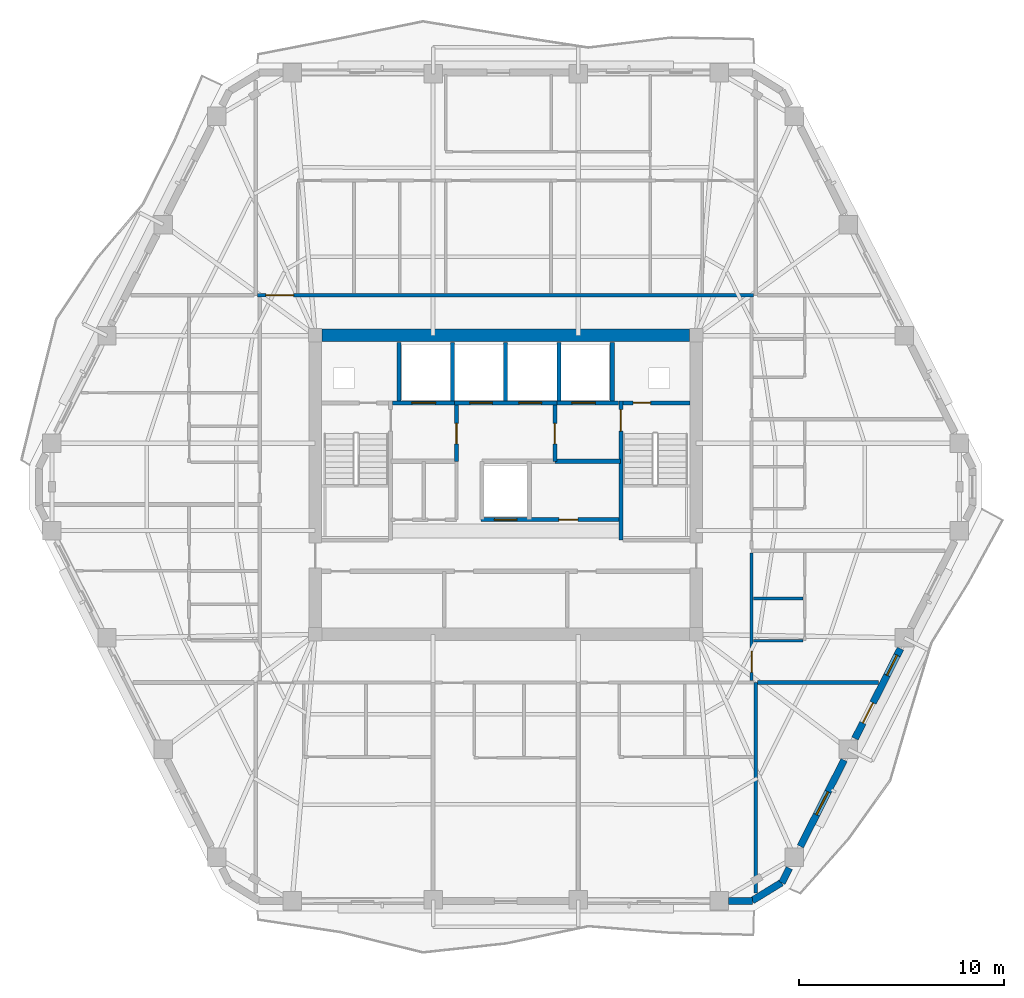
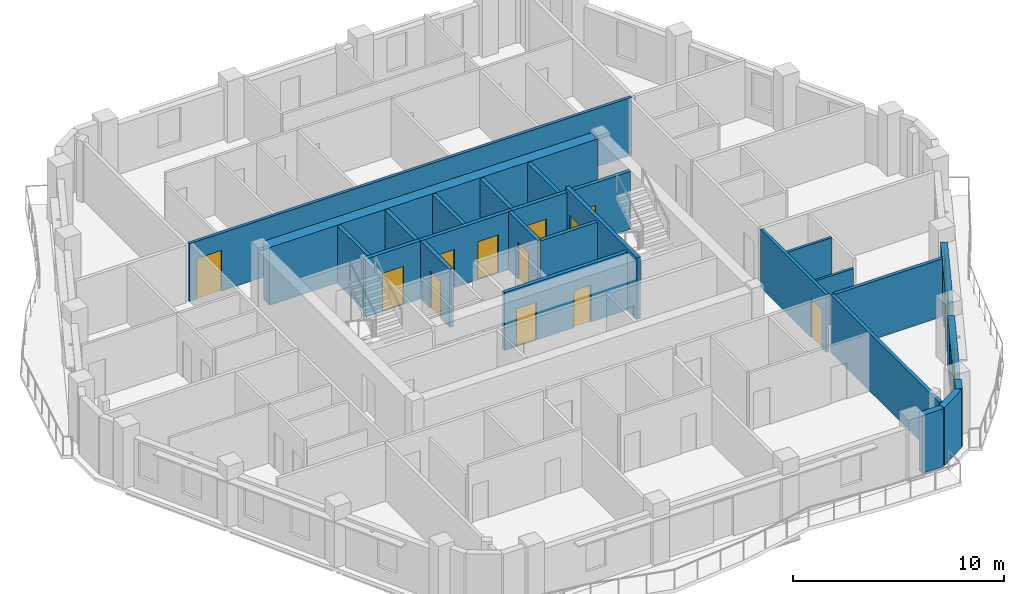
# One storey, part 6 of 12: 26 walls, 13 doors, 2 windows, 15 openings.
"""IFC4 building model written with IfcOpenShell, lengths in metres."""

import ifcopenshell
import ifcopenshell.guid

model = None  # the IFC model being written
_history = None  # IfcOwnerHistory: only IFC2X3 demands one
_inside = {}  # id of a spatial element -> (the spatial element, [elements in it])
_under = {}  # id of a project, library or spatial element -> (it, [spatial elements below it])
_declared = {}  # id of a project -> (the project, [libraries it declares])
_typed = {}  # id of a type object -> (the type object, [elements of that type])
_made_of = {}  # id of a material, layer set ... -> (it, [elements and type objects made of it])


def new_model(schema):
    """Start an empty IFC model of exactly this schema.

    Asked for "IFC4X3", IfcOpenShell would pick the latest addendum, in which some entities
    have other attributes; the version numbers below select the first issue.
    IFC2X3 requires an IfcOwnerHistory on every rooted entity: one is made here for all.
    """
    global model, _history
    if schema == "IFC4X3":
        model = ifcopenshell.file(schema_version=(4, 3, 0, 0))
    else:
        model = ifcopenshell.file(schema=schema)
    _inside.clear()
    _under.clear()
    _declared.clear()
    _typed.clear()
    _made_of.clear()
    _history = None
    if model.schema == "IFC2X3":
        org = make("IfcOrganization", Name="unknown")
        user = make(
            "IfcPersonAndOrganization",
            ThePerson=make("IfcPerson", FamilyName="unknown"),
            TheOrganization=org,
        )
        app = make(
            "IfcApplication",
            ApplicationDeveloper=org,
            Version="unknown",
            ApplicationFullName="unknown",
            ApplicationIdentifier="unknown",
        )
        _history = make(
            "IfcOwnerHistory",
            OwningUser=user,
            OwningApplication=app,
            ChangeAction="ADDED",
            CreationDate=0,
        )
    return model


def make(cls, **values):
    """One entity of the class cls with the attributes given. An attribute that is None is left unset."""
    return model.create_entity(
        cls, **{name: value for name, value in values.items() if value is not None}
    )


def rooted(cls, **values):
    """An entity with a GlobalId (a new one), such as an element, a storey or a relation."""
    return make(cls, GlobalId=ifcopenshell.guid.new(), OwnerHistory=_history, **values)


def si_unit(unit_type, name, prefix=None):
    """IfcSIUnit, for example si_unit("LENGTHUNIT", "METRE", prefix="MILLI")."""
    return make("IfcSIUnit", UnitType=unit_type, Prefix=prefix, Name=name)


def assignment(units):
    """IfcUnitAssignment: the units of a project."""
    return None if units is None else make("IfcUnitAssignment", Units=units)


def point(xyz):
    """IfcCartesianPoint."""
    return None if xyz is None else make("IfcCartesianPoint", Coordinates=xyz)


def direction(xyz):
    """IfcDirection."""
    return None if xyz is None else make("IfcDirection", DirectionRatios=xyz)


def frame(location, z_axis=None, x_axis=None):
    """IfcAxis2Placement3D, a coordinate frame: its origin and axes. An axis left out is left unset."""
    return make(
        "IfcAxis2Placement3D",
        Location=point(location),
        Axis=direction(z_axis),
        RefDirection=direction(x_axis),
    )


def frame_2d(location, x_axis=None):
    """IfcAxis2Placement2D, a coordinate frame in the plane: its origin and x axis."""
    return make(
        "IfcAxis2Placement2D", Location=point(location), RefDirection=direction(x_axis)
    )


def origin():
    """The frame at (0, 0, 0) with its axes left unset."""
    return frame((0.0, 0.0, 0.0))


def place(relative_to, where):
    """IfcLocalPlacement: puts the frame where relative to a parent placement (None: the world)."""
    return make(
        "IfcLocalPlacement", PlacementRelTo=relative_to, RelativePlacement=where
    )


def context(
    kind, dimensions, precision=None, world=None, true_north=None, identifier=None
):
    """IfcGeometricRepresentationContext, for example the 3D "Model" context."""
    return make(
        "IfcGeometricRepresentationContext",
        ContextIdentifier=identifier,
        ContextType=kind,
        CoordinateSpaceDimension=dimensions,
        Precision=precision,
        WorldCoordinateSystem=world,
        TrueNorth=true_north,
    )


def subcontext(parent, identifier, kind, view, scale=None):
    """IfcGeometricRepresentationSubContext, for example "Body" below "Model"."""
    return make(
        "IfcGeometricRepresentationSubContext",
        ContextIdentifier=identifier,
        ContextType=kind,
        ParentContext=parent,
        TargetScale=scale,
        TargetView=view,
    )


def project(units=None, contexts=None):
    """IfcProject with its units and contexts."""
    return rooted(
        "IfcProject",
        Name="project",
        RepresentationContexts=contexts,
        UnitsInContext=assignment(units),
    )


def spatial(cls, under=None, at=None, **own):
    """A site, building, storey or space (cls), placed at a placement, below another one or the project."""
    s = rooted(cls, ObjectPlacement=at, **own)
    if under is not None:
        _under.setdefault(under.id(), (under, []))[1].append(s)
    return s


def profile(cls, at=None, kind="AREA", **sizes):
    """A parametric profile (cls). Its sizes go by their IFC names, for example OverallWidth=200.0."""
    return make(cls, ProfileType=kind, Position=at, **sizes)


def rectangle(**sizes):
    """IfcRectangleProfileDef."""
    return profile("IfcRectangleProfileDef", **sizes)


def extrude(swept, where, along, depth):
    """IfcExtrudedAreaSolid: the profile swept, set in the frame where, extruded along a direction by depth."""
    return make(
        "IfcExtrudedAreaSolid",
        SweptArea=swept,
        Position=where,
        ExtrudedDirection=direction(along),
        Depth=depth,
    )


def shape(context_of_items, identifier, shape_type, items):
    """IfcShapeRepresentation: the items that make up one representation, for example the "Body"."""
    return make(
        "IfcShapeRepresentation",
        ContextOfItems=context_of_items,
        RepresentationIdentifier=identifier,
        RepresentationType=shape_type,
        Items=items,
    )


def material(Name=None, Category=None):
    """IfcMaterial."""
    return make("IfcMaterial", Name=Name, Category=Category)


def layer(
    of_material, thickness, ventilated=None, Name=None, Category=None, Priority=None
):
    """IfcMaterialLayer: one layer of a wall or slab, of a material (None: an air gap)."""
    return make(
        "IfcMaterialLayer",
        Material=of_material,
        LayerThickness=thickness,
        IsVentilated=ventilated,
        Name=Name,
        Category=Category,
        Priority=Priority,
    )


def layer_set(layers, Name=None):
    """IfcMaterialLayerSet."""
    return make("IfcMaterialLayerSet", MaterialLayers=layers, LayerSetName=Name)


def made_of(thing, what):
    """Note that an element or type object is made of a material, layer set ...; save() writes the relation."""
    if what is not None:
        _made_of.setdefault(what.id(), (what, []))[1].append(thing)
    return thing


def type_object(cls, material=None, **own):
    """A type object (cls), such as IfcWallType, which elements share."""
    return made_of(rooted(cls, **own), material)


def element(
    cls,
    number,
    at=None,
    inside=None,
    cuts=None,
    type_object=None,
    material=None,
    context=None,
    identifier="Body",
    shape_type=None,
    held_by="IfcProductDefinitionShape",
    body=None,
    shapes=None,
    **own,
):
    """One element of the class cls, such as IfcWall. Its Tag is "e" and its number.

    at: its placement. inside: the storey or other place that contains it. cuts: it is an
    opening in that element (IfcRelVoidsElement). A single representation is given by context,
    identifier, shape_type and body (its items); several are given by shapes. held_by: the class
    of the entity that holds the representations. save() writes the other relations.
    """
    e = rooted(cls, Tag="e%d" % number, ObjectPlacement=at, **own)
    if body is not None:
        shapes = [shape(context, identifier, shape_type, body)]
    if shapes is not None:
        e.Representation = make(held_by, Representations=shapes)
    if inside is not None:
        _inside.setdefault(inside.id(), (inside, []))[1].append(e)
    if cuts is not None:
        rooted(
            "IfcRelVoidsElement", RelatingBuildingElement=cuts, RelatedOpeningElement=e
        )
    if type_object is not None:
        _typed.setdefault(type_object.id(), (type_object, []))[1].append(e)
    return made_of(e, material)


def fill(opening, filler):
    """IfcRelFillsElement: the door or window that sits in an opening."""
    return rooted(
        "IfcRelFillsElement",
        RelatingOpeningElement=opening,
        RelatedBuildingElement=filler,
    )


def aggregate(whole, parts):
    """IfcRelAggregates: a whole, such as a stair, and the parts it consists of."""
    return rooted("IfcRelAggregates", RelatingObject=whole, RelatedObjects=parts)


def save(model, path):
    """Write the relations noted so far, then the file.

    IfcRelAggregates (storeys below a building ...), IfcRelContainedInSpatialStructure (elements
    in a storey), IfcRelDefinesByType, IfcRelAssociatesMaterial and IfcRelDeclares: one each for
    every whole, place, type object, material and project.
    """
    for whole, parts in _under.values():
        aggregate(whole, parts)
    for where, things in _inside.values():
        rooted(
            "IfcRelContainedInSpatialStructure",
            RelatedElements=things,
            RelatingStructure=where,
        )
    for kind, things in _typed.values():
        rooted("IfcRelDefinesByType", RelatedObjects=things, RelatingType=kind)
    for what, things in _made_of.values():
        rooted("IfcRelAssociatesMaterial", RelatedObjects=things, RelatingMaterial=what)
    for by, libraries in _declared.values():
        rooted("IfcRelDeclares", RelatingContext=by, RelatedDefinitions=libraries)
    model.write(path)


model = new_model("IFC4")

# Units and contexts
model_context = context("Model", 3, precision=1e-05, world=origin(), true_north=direction((0.0, 1.0)))
body_context = subcontext(model_context, "Body", "Model", "MODEL_VIEW")
ifc_project = project(units=[si_unit("LENGTHUNIT", "METRE"), si_unit("AREAUNIT", "SQUARE_METRE"), si_unit("VOLUMEUNIT", "CUBIC_METRE"), si_unit("PLANEANGLEUNIT", "RADIAN"), si_unit("MASSUNIT", "GRAM", prefix="KILO")], contexts=[model_context])

# Site, building, storey
site_placement = place(None, origin())
site = spatial("IfcSite", under=ifc_project, at=site_placement, CompositionType="ELEMENT")
building_placement = place(site_placement, origin())
building = spatial("IfcBuilding", under=site, at=building_placement, Name="Cinnabar Lancet Tower", CompositionType="ELEMENT")
storey_placement = place(building_placement, frame((0.0, 0.0, 186.10009765625)))
storey = spatial("IfcBuildingStorey", under=building, at=storey_placement, Name="L49", CompositionType="ELEMENT", Elevation=186.10009765625)

# Wall, opening, door
ifc_material_1 = material(Name="Acoustic twin-stud gypsum partition", Category="gypsum")
ifc_layer_1 = layer(ifc_material_1, 0.159912109375)
ifc_layer_set_1 = layer_set([ifc_layer_1], Name="Acoustic twin-stud gypsum partition")
wall_type_1 = type_object("IfcWallType", Name="ARC-WL-CORR-160", PredefinedType="PARTITIONING", material=ifc_layer_set_1)
wall_1_placement = place(storey_placement, frame((20.294921875, 35.14990234375, 0.0), z_axis=(0.0, 0.0, 1.0), x_axis=(1.0, 0.0, 0.0)))
wall_1 = element("IfcWall", 1, at=wall_1_placement, inside=storey, type_object=wall_type_1, Name="L49 Unit N01 Corridor Wall", PredefinedType="PARTITIONING", context=body_context, shape_type="SweptSolid", body=[
    extrude(rectangle(XDim=24.2099609375, YDim=0.159912109375, at=frame_2d((12.10498046875, 0.0))), origin(), (0.0, 0.0, 1.0), 3.349853515625),
])
opening_1_placement = place(wall_1_placement, frame((0.405029296875, 0.0, 0.0)))
opening_1 = element("IfcOpeningElement", 2, at=opening_1_placement, cuts=wall_1, Name="Opening UD-02", PredefinedType="OPENING", context=body_context, shape_type="SweptSolid", body=[
    extrude(rectangle(XDim=1.35009765625, YDim=2.35009765625, at=frame_2d((0.675048828125, 1.175048828125))), frame((0.0, 0.08984375, 0.0), z_axis=(0.0, -1.0, 0.0), x_axis=(1.0, 0.0, 0.0)), (0.0, 0.0, 1.0), 0.179931640625),
])
ifc_material_2 = material(Name="Double-leaf solid timber penthouse entrance door", Category="wood")
door_type_1 = type_object("IfcDoorType", Name="ARC-DR-UNIT-PH", OperationType="NOTDEFINED", PredefinedType="DOOR", material=ifc_material_2)
door_1_placement = place(opening_1_placement, origin())
door_1 = element("IfcDoor", 3, at=door_1_placement, inside=storey, type_object=door_type_1, Name="DR-L49-N01-ENT", OperationType="SINGLE_SWING_RIGHT", OverallHeight=2.35009765625, OverallWidth=1.35009765625, PredefinedType="DOOR", context=body_context, shape_type="SweptSolid", body=[
    extrude(rectangle(XDim=1.35009765625, YDim=2.35009765625, at=frame_2d((0.675048828125, 1.175048828125))), frame((0.0, 0.02490234375, 0.0), z_axis=(0.0, -1.0, 0.0), x_axis=(1.0, 0.0, 0.0)), (0.0, 0.0, 1.0), 0.050048828125),
])
fill(opening_1, door_1)

wall_2_placement = place(storey_placement, frame((44.39990234375, 16.344970703125, 0.0), z_axis=(0.0, 0.0, 1.0), x_axis=(0.0, 1.0, 0.0)))
wall_2 = element("IfcWall", 4, at=wall_2_placement, inside=storey, type_object=wall_type_1, Name="UW-L49-E01-COR", PredefinedType="PARTITIONING", context=body_context, shape_type="SweptSolid", body=[
    extrude(rectangle(XDim=6.236083984375, YDim=0.159912109375, at=frame_2d((3.1181640625, 0.0))), origin(), (0.0, 0.0, 1.0), 3.349853515625),
])
opening_2_placement = place(wall_2_placement, frame((0.39990234375, 0.0, 0.0)))
opening_2 = element("IfcOpeningElement", 5, at=opening_2_placement, cuts=wall_2, Name="Opening UD-01", PredefinedType="OPENING", context=body_context, shape_type="SweptSolid", body=[
    extrude(rectangle(XDim=1.02001953125, YDim=2.25, at=frame_2d((0.510009765625, 1.125))), frame((0.0, 0.08984375, 0.0), z_axis=(0.0, -1.0, 0.0), x_axis=(1.0, 0.0, 0.0)), (0.0, 0.0, 1.0), 0.179931640625),
])
ifc_material_3 = material(Name="Solid timber fire-rated apartment entrance door", Category="wood")
door_type_2 = type_object("IfcDoorType", Name="ARC-DR-UNIT", OperationType="NOTDEFINED", PredefinedType="DOOR", material=ifc_material_3)
door_2_placement = place(opening_2_placement, origin())
door_2 = element("IfcDoor", 6, at=door_2_placement, inside=storey, type_object=door_type_2, Name="DR-L49-E01-ENT", OperationType="SINGLE_SWING_RIGHT", OverallHeight=2.25, OverallWidth=1.02001953125, PredefinedType="DOOR", context=body_context, shape_type="SweptSolid", body=[
    extrude(rectangle(XDim=1.02001953125, YDim=2.25, at=frame_2d((0.510009765625, 1.125))), frame((0.0, 0.02490234375, 0.0), z_axis=(0.0, -1.0, 0.0), x_axis=(1.0, 0.0, 0.0)), (0.0, 0.0, 1.0), 0.050048828125),
])
fill(opening_2, door_2)

# Walls
ifc_material_4 = material(Name="Fire-rated twin-frame acoustic drywall", Category="gypsum")
ifc_layer_2 = layer(ifc_material_4, 0.179931640625)
ifc_layer_set_2 = layer_set([ifc_layer_2], Name="Fire-rated twin-frame acoustic drywall")
wall_type_2 = type_object("IfcWallType", Name="ARC-WL-PARTY-180", PredefinedType="PARTITIONING", material=ifc_layer_set_2)
wall_3_placement = place(storey_placement, frame((44.60009765625, 5.968017578125, 0.0), z_axis=(0.0, 0.0, 1.0), x_axis=(0.0, 1.0, 0.0)))
element("IfcWall", 7, at=wall_3_placement, inside=storey, type_object=wall_type_2, Name="PW-L49-SPTY-446", PredefinedType="PARTITIONING", context=body_context, shape_type="SweptSolid", body=[
    extrude(rectangle(XDim=10.281982421875, YDim=0.179931640625, at=frame_2d((5.14111328125, 0.0))), origin(), (0.0, 0.0, 1.0), 3.349853515625),
])
wall_4_placement = place(storey_placement, frame((44.695068359375, 16.25, 0.0), z_axis=(0.0, 0.0, 1.0), x_axis=(1.0, 0.0, 0.0)))
element("IfcWall", 8, at=wall_4_placement, inside=storey, type_object=wall_type_2, Name="PW-L49-ESB", PredefinedType="PARTITIONING", context=body_context, shape_type="SweptSolid", body=[
    extrude(rectangle(XDim=5.89404296875, YDim=0.179931640625, at=frame_2d((2.947021484375, 0.0))), origin(), (0.0, 0.0, 1.0), 3.349853515625),
])

# Wall, opening, door
ifc_material_5 = material(Name="Autoclaved aerated concrete blockwork", Category="masonry")
ifc_layer_3 = layer(ifc_material_5, 0.199951171875)
ifc_layer_set_3 = layer_set([ifc_layer_3], Name="Autoclaved aerated concrete blockwork")
wall_type_3 = type_object("IfcWallType", Name="ARC-WL-SHAFT-200", PredefinedType="PLUMBINGWALL", material=ifc_layer_set_3)
wall_5_placement = place(storey_placement, frame((26.885009765625, 29.89990234375, 0.0), z_axis=(0.0, 0.0, 1.0), x_axis=(1.0, 0.0, 0.0)))
wall_5 = element("IfcWall", 9, at=wall_5_placement, inside=storey, type_object=wall_type_3, Name="CW-FL1-L49", PredefinedType="PLUMBINGWALL", context=body_context, shape_type="SweptSolid", body=[
    extrude(rectangle(XDim=3.014892578125, YDim=0.199951171875, at=frame_2d((1.50732421875, 0.0))), origin(), (0.0, 0.0, 1.0), 3.349853515625),
])
opening_3_placement = place(wall_5_placement, frame((0.93994140625, 0.0, 0.0)))
opening_3 = element("IfcOpeningElement", 10, at=opening_3_placement, cuts=wall_5, Name="Opening LD-02", PredefinedType="OPENING", context=body_context, shape_type="SweptSolid", body=[
    extrude(rectangle(XDim=1.14990234375, YDim=2.199951171875, at=frame_2d((0.574951171875, 1.10009765625))), frame((0.0, 0.10986328125, 0.0), z_axis=(0.0, -1.0, 0.0), x_axis=(1.0, 0.0, 0.0)), (0.0, 0.0, 1.0), 0.219970703125),
])
ifc_material_6 = material(Name="Fire-rated stainless steel firefighting lift landing door", Category="steel")
door_type_3 = type_object("IfcDoorType", Name="ARC-DR-LD-FIRE", OperationType="NOTDEFINED", PredefinedType="DOOR", material=ifc_material_6)
door_3_placement = place(opening_3_placement, origin())
door_3 = element("IfcDoor", 11, at=door_3_placement, inside=storey, type_object=door_type_3, Name="L49 Firefighting Lift FL-1 Landing Door", OperationType="DOUBLE_DOOR_SLIDING", OverallHeight=2.199951171875, OverallWidth=1.14990234375, PredefinedType="DOOR", context=body_context, shape_type="SweptSolid", body=[
    extrude(rectangle(XDim=1.14990234375, YDim=2.199951171875, at=frame_2d((0.574951171875, 1.10009765625))), frame((0.0, 0.02490234375, 0.0), z_axis=(0.0, -1.0, 0.0), x_axis=(1.0, 0.0, 0.0)), (0.0, 0.0, 1.0), 0.050048828125),
])
fill(opening_3, door_3)

# Wall, openings, doors
wall_6_placement = place(storey_placement, frame((29.89990234375, 29.89990234375, 0.0), z_axis=(0.0, 0.0, 1.0), x_axis=(1.0, 0.0, 0.0)))
wall_6 = element("IfcWall", 12, at=wall_6_placement, inside=storey, type_object=wall_type_3, Name="CW-PL78-L49", PredefinedType="PLUMBINGWALL", context=body_context, shape_type="SweptSolid", body=[
    extrude(rectangle(XDim=5.0, YDim=0.199951171875, at=frame_2d((2.5, 0.0))), origin(), (0.0, 0.0, 1.0), 3.349853515625),
])
opening_4_placement = place(wall_6_placement, frame((0.75, 0.0, 0.0)))
opening_4 = element("IfcOpeningElement", 13, at=opening_4_placement, cuts=wall_6, Name="Opening LD-01", PredefinedType="OPENING", context=body_context, shape_type="SweptSolid", body=[
    extrude(rectangle(XDim=1.10009765625, YDim=2.199951171875, at=frame_2d((0.550048828125, 1.10009765625))), frame((0.0, 0.10986328125, 0.0), z_axis=(0.0, -1.0, 0.0), x_axis=(1.0, 0.0, 0.0)), (0.0, 0.0, 1.0), 0.219970703125),
])
opening_5_placement = place(wall_6_placement, frame((3.14990234375, 0.0, 0.0)))
opening_5 = element("IfcOpeningElement", 14, at=opening_5_placement, cuts=wall_6, Name="Opening LD-01", PredefinedType="OPENING", context=body_context, shape_type="SweptSolid", body=[
    extrude(rectangle(XDim=1.10009765625, YDim=2.199951171875, at=frame_2d((0.550048828125, 1.10009765625))), frame((0.0, 0.10986328125, 0.0), z_axis=(0.0, -1.0, 0.0), x_axis=(1.0, 0.0, 0.0)), (0.0, 0.0, 1.0), 0.219970703125),
])
ifc_material_7 = material(Name="Brushed stainless steel sliding lift door", Category="steel")
door_type_4 = type_object("IfcDoorType", Name="ARC-DR-LD-PASS", OperationType="NOTDEFINED", PredefinedType="DOOR", material=ifc_material_7)
door_4_placement = place(opening_4_placement, origin())
door_4 = element("IfcDoor", 15, at=door_4_placement, inside=storey, type_object=door_type_4, Name="L49 Lift PL-7 Landing Door", OperationType="DOUBLE_DOOR_SLIDING", OverallHeight=2.199951171875, OverallWidth=1.10009765625, PredefinedType="DOOR", context=body_context, shape_type="SweptSolid", body=[
    extrude(rectangle(XDim=1.10009765625, YDim=2.199951171875, at=frame_2d((0.550048828125, 1.10009765625))), frame((0.0, 0.02490234375, 0.0), z_axis=(0.0, -1.0, 0.0), x_axis=(1.0, 0.0, 0.0)), (0.0, 0.0, 1.0), 0.050048828125),
])
fill(opening_4, door_4)
door_5_placement = place(opening_5_placement, origin())
door_5 = element("IfcDoor", 16, at=door_5_placement, inside=storey, type_object=door_type_4, Name="L49 Lift PL-8 Landing Door", OperationType="DOUBLE_DOOR_SLIDING", OverallHeight=2.199951171875, OverallWidth=1.10009765625, PredefinedType="DOOR", context=body_context, shape_type="SweptSolid", body=[
    extrude(rectangle(XDim=1.10009765625, YDim=2.199951171875, at=frame_2d((0.550048828125, 1.10009765625))), frame((0.0, 0.02490234375, 0.0), z_axis=(0.0, -1.0, 0.0), x_axis=(1.0, 0.0, 0.0)), (0.0, 0.0, 1.0), 0.050048828125),
])
fill(opening_5, door_5)

# Wall, opening, door
wall_7_placement = place(storey_placement, frame((34.89990234375, 29.89990234375, 0.0), z_axis=(0.0, 0.0, 1.0), x_axis=(1.0, 0.0, 0.0)))
wall_7 = element("IfcWall", 17, at=wall_7_placement, inside=storey, type_object=wall_type_3, Name="CW-FL2-L49", PredefinedType="PLUMBINGWALL", context=body_context, shape_type="SweptSolid", body=[
    extrude(rectangle(XDim=3.01513671875, YDim=0.199951171875, at=frame_2d((1.507568359375, 0.0))), origin(), (0.0, 0.0, 1.0), 3.349853515625),
])
opening_6_placement = place(wall_7_placement, frame((0.72509765625, 0.0, 0.0)))
opening_6 = element("IfcOpeningElement", 18, at=opening_6_placement, cuts=wall_7, Name="Opening LD-02", PredefinedType="OPENING", context=body_context, shape_type="SweptSolid", body=[
    extrude(rectangle(XDim=1.14990234375, YDim=2.199951171875, at=frame_2d((0.574951171875, 1.10009765625))), frame((0.0, 0.10986328125, 0.0), z_axis=(0.0, -1.0, 0.0), x_axis=(1.0, 0.0, 0.0)), (0.0, 0.0, 1.0), 0.219970703125),
])
door_6_placement = place(opening_6_placement, origin())
door_6 = element("IfcDoor", 19, at=door_6_placement, inside=storey, type_object=door_type_3, Name="L49 Firefighting Lift FL-2 Landing Door", OperationType="DOUBLE_DOOR_SLIDING", OverallHeight=2.199951171875, OverallWidth=1.14990234375, PredefinedType="DOOR", context=body_context, shape_type="SweptSolid", body=[
    extrude(rectangle(XDim=1.14990234375, YDim=2.199951171875, at=frame_2d((0.574951171875, 1.10009765625))), frame((0.0, 0.02490234375, 0.0), z_axis=(0.0, -1.0, 0.0), x_axis=(1.0, 0.0, 0.0)), (0.0, 0.0, 1.0), 0.050048828125),
])
fill(opening_6, door_6)

wall_8_placement = place(storey_placement, frame((38.125, 29.89990234375, 0.0), z_axis=(0.0, 0.0, 1.0), x_axis=(1.0, 0.0, 0.0)))
wall_8 = element("IfcWall", 20, at=wall_8_placement, inside=storey, type_object=wall_type_3, Name="CW-NSH-E-L49", PredefinedType="PLUMBINGWALL", context=body_context, shape_type="SweptSolid", body=[
    extrude(rectangle(XDim=3.27001953125, YDim=0.199951171875, at=frame_2d((1.635009765625, 0.0))), origin(), (0.0, 0.0, 1.0), 3.349853515625),
])
opening_7_placement = place(wall_8_placement, frame((0.5, 0.0, 0.0)))
opening_7 = element("IfcOpeningElement", 21, at=opening_7_placement, cuts=wall_8, Name="Opening PD-02", PredefinedType="OPENING", context=body_context, shape_type="SweptSolid", body=[
    extrude(rectangle(XDim=0.85009765625, YDim=2.050048828125, at=frame_2d((0.425048828125, 1.02490234375))), frame((0.0, 0.10986328125, 0.0), z_axis=(0.0, -1.0, 0.0), x_axis=(1.0, 0.0, 0.0)), (0.0, 0.0, 1.0), 0.219970703125),
])
ifc_material_8 = material(Name="Fire-rated steel riser access door", Category="steel")
door_type_5 = type_object("IfcDoorType", Name="ARC-DR-RISER", OperationType="NOTDEFINED", PredefinedType="DOOR", material=ifc_material_8)
door_7_placement = place(opening_7_placement, origin())
door_7 = element("IfcDoor", 22, at=door_7_placement, inside=storey, type_object=door_type_5, Name="L49 East Riser Access Door", OperationType="SINGLE_SWING_RIGHT", OverallHeight=2.050048828125, OverallWidth=0.85009765625, PredefinedType="DOOR", context=body_context, shape_type="SweptSolid", body=[
    extrude(rectangle(XDim=0.85009765625, YDim=2.050048828125, at=frame_2d((0.425048828125, 1.02490234375))), frame((0.0, 0.02490234375, 0.0), z_axis=(0.0, -1.0, 0.0), x_axis=(1.0, 0.0, 0.0)), (0.0, 0.0, 1.0), 0.050048828125),
])
fill(opening_7, door_7)

# Walls
for number, where, z_axis, x_axis, name in (
    (23, (27.199951171875, 30.0, 0.0), (0.0, 0.0, 1.0), (0.0, 1.0, 0.0), "CW-NSH-D1-L49"),
    (24, (29.800048828125, 30.0, 0.0), (0.0, 0.0, 1.0), (0.0, 1.0, 0.0), "CW-NSH-D2-L49"),
    (25, (32.39990234375, 30.0, 0.0), (0.0, 0.0, 1.0), (0.0, 1.0, 0.0), "CW-NSH-D3-L49"),
    (26, (35.0, 30.0, 0.0), (0.0, 0.0, 1.0), (0.0, 1.0, 0.0), "CW-NSH-D4-L49"),
    (27, (37.60009765625, 30.0, 0.0), (0.0, 0.0, 1.0), (0.0, 1.0, 0.0), "CW-NSH-D5-L49"),
):
    element("IfcWall", number, at=place(storey_placement, frame(where, z_axis=z_axis, x_axis=x_axis)), inside=storey, type_object=wall_type_3, Name=name, PredefinedType="PLUMBINGWALL", context=body_context, shape_type="SweptSolid", body=[
        extrude(rectangle(XDim=2.85009765625, YDim=0.199951171875, at=frame_2d((1.425048828125, 0.0))), origin(), (0.0, 0.0, 1.0), 3.349853515625),
    ])

# Wall, opening, door
wall_9_placement = place(storey_placement, frame((30.0, 27.050048828125, 0.0), z_axis=(0.0, 0.0, 1.0), x_axis=(0.0, 1.0, 0.0)))
wall_9 = element("IfcWall", 28, at=wall_9_placement, inside=storey, type_object=wall_type_3, Name="CW-FF1E-L49", PredefinedType="PLUMBINGWALL", context=body_context, shape_type="SweptSolid", body=[
    extrude(rectangle(XDim=2.75, YDim=0.199951171875, at=frame_2d((1.375, 0.0))), origin(), (0.0, 0.0, 1.0), 3.349853515625),
])
opening_8_placement = place(wall_9_placement, frame((0.85009765625, 0.0, 0.0)))
opening_8 = element("IfcOpeningElement", 29, at=opening_8_placement, cuts=wall_9, Name="Opening FD-01", PredefinedType="OPENING", context=body_context, shape_type="SweptSolid", body=[
    extrude(rectangle(XDim=1.0, YDim=2.14990234375, at=frame_2d((0.5, 1.074951171875))), frame((0.0, 0.10986328125, 0.0), z_axis=(0.0, -1.0, 0.0), x_axis=(1.0, 0.0, 0.0)), (0.0, 0.0, 1.0), 0.219970703125),
])
ifc_material_9 = material(Name="Fire-rated timber-core lobby door", Category="wood")
door_type_6 = type_object("IfcDoorType", Name="ARC-DR-FFAL", OperationType="NOTDEFINED", PredefinedType="DOOR", material=ifc_material_9)
door_8_placement = place(opening_8_placement, origin())
door_8 = element("IfcDoor", 30, at=door_8_placement, inside=storey, type_object=door_type_6, Name="L49 FFAL-1 Lobby Fire Door", OperationType="SINGLE_SWING_RIGHT", OverallHeight=2.14990234375, OverallWidth=1.0, PredefinedType="DOOR", context=body_context, shape_type="SweptSolid", body=[
    extrude(rectangle(XDim=1.0, YDim=2.14990234375, at=frame_2d((0.5, 1.074951171875))), frame((0.0, 0.02490234375, 0.0), z_axis=(0.0, -1.0, 0.0), x_axis=(1.0, 0.0, 0.0)), (0.0, 0.0, 1.0), 0.050048828125),
])
fill(opening_8, door_8)

wall_10_placement = place(storey_placement, frame((34.800048828125, 27.050048828125, 0.0), z_axis=(0.0, 0.0, 1.0), x_axis=(0.0, 1.0, 0.0)))
wall_10 = element("IfcWall", 31, at=wall_10_placement, inside=storey, type_object=wall_type_3, Name="CW-FF2W-L49", PredefinedType="PLUMBINGWALL", context=body_context, shape_type="SweptSolid", body=[
    extrude(rectangle(XDim=2.75, YDim=0.199951171875, at=frame_2d((1.375, 0.0))), origin(), (0.0, 0.0, 1.0), 3.349853515625),
])
opening_9_placement = place(wall_10_placement, frame((0.85009765625, 0.0, 0.0)))
opening_9 = element("IfcOpeningElement", 32, at=opening_9_placement, cuts=wall_10, Name="Opening FD-01", PredefinedType="OPENING", context=body_context, shape_type="SweptSolid", body=[
    extrude(rectangle(XDim=1.0, YDim=2.14990234375, at=frame_2d((0.5, 1.074951171875))), frame((0.0, 0.10986328125, 0.0), z_axis=(0.0, -1.0, 0.0), x_axis=(1.0, 0.0, 0.0)), (0.0, 0.0, 1.0), 0.219970703125),
])
door_9_placement = place(opening_9_placement, origin())
door_9 = element("IfcDoor", 33, at=door_9_placement, inside=storey, type_object=door_type_6, Name="L49 FFAL-2 Lobby Fire Door", OperationType="SINGLE_SWING_LEFT", OverallHeight=2.14990234375, OverallWidth=1.0, PredefinedType="DOOR", context=body_context, shape_type="SweptSolid", body=[
    extrude(rectangle(XDim=1.0, YDim=2.14990234375, at=frame_2d((0.5, 1.074951171875))), frame((0.0, 0.02490234375, 0.0), z_axis=(0.0, -1.0, 0.0), x_axis=(1.0, 0.0, 0.0)), (0.0, 0.0, 1.0), 0.050048828125),
])
fill(opening_9, door_9)

# Wall
wall_11_placement = place(storey_placement, frame((34.800048828125, 27.050048828125, 0.0), z_axis=(0.0, 0.0, 1.0), x_axis=(1.0, 0.0, 0.0)))
element("IfcWall", 34, at=wall_11_placement, inside=storey, type_object=wall_type_3, Name="CW-FF2S-L49", PredefinedType="PLUMBINGWALL", context=body_context, shape_type="SweptSolid", body=[
    extrude(rectangle(XDim=3.199951171875, YDim=0.199951171875, at=frame_2d((1.60009765625, 0.0))), origin(), (0.0, 0.0, 1.0), 3.349853515625),
])

# Wall, openings, doors
wall_12_placement = place(storey_placement, frame((31.199951171875, 24.199951171875, 0.0), z_axis=(0.0, 0.0, 1.0), x_axis=(1.0, 0.0, 0.0)))
wall_12 = element("IfcWall", 35, at=wall_12_placement, inside=storey, type_object=wall_type_3, Name="CW-PL96S-L49", PredefinedType="PLUMBINGWALL", context=body_context, shape_type="SweptSolid", body=[
    extrude(rectangle(XDim=6.800048828125, YDim=0.199951171875, at=frame_2d((3.39990234375, 0.0))), origin(), (0.0, 0.0, 1.0), 3.349853515625),
])
opening_10_placement = place(wall_12_placement, frame((0.64990234375, 0.0, 0.0)))
opening_10 = element("IfcOpeningElement", 36, at=opening_10_placement, cuts=wall_12, Name="Opening LD-01", PredefinedType="OPENING", context=body_context, shape_type="SweptSolid", body=[
    extrude(rectangle(XDim=1.10009765625, YDim=2.199951171875, at=frame_2d((0.550048828125, 1.10009765625))), frame((0.0, 0.10986328125, 0.0), z_axis=(0.0, -1.0, 0.0), x_axis=(1.0, 0.0, 0.0)), (0.0, 0.0, 1.0), 0.219970703125),
])
opening_11_placement = place(wall_12_placement, frame((3.800048828125, 0.0, 0.0)))
opening_11 = element("IfcOpeningElement", 37, at=opening_11_placement, cuts=wall_12, Name="Opening RD-01", PredefinedType="OPENING", context=body_context, shape_type="SweptSolid", body=[
    extrude(rectangle(XDim=0.919921875, YDim=2.14990234375, at=frame_2d((0.4599609375, 1.074951171875))), frame((0.0, 0.10986328125, 0.0), z_axis=(0.0, -1.0, 0.0), x_axis=(1.0, 0.0, 0.0)), (0.0, 0.0, 1.0), 0.219970703125),
])
door_10_placement = place(opening_10_placement, origin())
door_10 = element("IfcDoor", 38, at=door_10_placement, inside=storey, type_object=door_type_4, Name="L49 Lift PL-9 Landing Door", OperationType="DOUBLE_DOOR_SLIDING", OverallHeight=2.199951171875, OverallWidth=1.10009765625, PredefinedType="DOOR", context=body_context, shape_type="SweptSolid", body=[
    extrude(rectangle(XDim=1.10009765625, YDim=2.199951171875, at=frame_2d((0.550048828125, 1.10009765625))), frame((0.0, 0.02490234375, 0.0), z_axis=(0.0, -1.0, 0.0), x_axis=(1.0, 0.0, 0.0)), (0.0, 0.0, 1.0), 0.050048828125),
])
fill(opening_10, door_10)
ifc_material_10 = material(Name="Engineered timber bedroom door", Category="wood")
door_type_7 = type_object("IfcDoorType", Name="ARC-DR-ROOM", OperationType="NOTDEFINED", PredefinedType="DOOR", material=ifc_material_10)
door_11_placement = place(opening_11_placement, origin())
door_11 = element("IfcDoor", 39, at=door_11_placement, inside=storey, type_object=door_type_7, Name="DR-L49-REC6", OperationType="SINGLE_SWING_RIGHT", OverallHeight=2.14990234375, OverallWidth=0.919921875, PredefinedType="DOOR", context=body_context, shape_type="SweptSolid", body=[
    extrude(rectangle(XDim=0.919921875, YDim=2.14990234375, at=frame_2d((0.4599609375, 1.074951171875))), frame((0.0, 0.02490234375, 0.0), z_axis=(0.0, -1.0, 0.0), x_axis=(1.0, 0.0, 0.0)), (0.0, 0.0, 1.0), 0.050048828125),
])
fill(opening_11, door_11)

# Walls
ifc_material_11 = material(Name="Gypsum plasterboard stud partition", Category="gypsum")
ifc_layer_4 = layer(ifc_material_11, 0.125)
ifc_layer_set_4 = layer_set([ifc_layer_4], Name="Gypsum plasterboard stud partition")
wall_type_4 = type_object("IfcWallType", Name="ARC-WL-UNIT-125", PredefinedType="PARTITIONING", material=ifc_layer_set_4)
wall_13_placement = place(storey_placement, frame((44.485107421875, 18.300048828125, 0.0), z_axis=(0.0, 0.0, 1.0), x_axis=(1.0, 0.0, 0.0)))
element("IfcWall", 40, at=wall_13_placement, inside=storey, type_object=wall_type_4, Name="UW-L49-E01-FOYN", PredefinedType="PARTITIONING", context=body_context, shape_type="SweptSolid", body=[
    extrude(rectangle(XDim=2.429931640625, YDim=0.125, at=frame_2d((1.21484375, 0.0))), origin(), (0.0, 0.0, 1.0), 2.806884765625),
])
ifc_material_12 = material(Name="Moisture-resistant cement-board plumbing wall", Category="masonry")
ifc_layer_5 = layer(ifc_material_12, 0.139892578125)
ifc_layer_set_5 = layer_set([ifc_layer_5], Name="Moisture-resistant cement-board plumbing wall")
wall_type_5 = type_object("IfcWallType", Name="ARC-WL-WET-140", PredefinedType="PLUMBINGWALL", material=ifc_layer_set_5)
wall_14_placement = place(storey_placement, frame((44.485107421875, 20.35498046875, 0.0), z_axis=(0.0, 0.0, 1.0), x_axis=(1.0, 0.0, 0.0)))
element("IfcWall", 41, at=wall_14_placement, inside=storey, type_object=wall_type_5, Name="UW-L49-E01-KDV", PredefinedType="PLUMBINGWALL", context=body_context, shape_type="SweptSolid", body=[
    extrude(rectangle(XDim=2.429931640625, YDim=0.139892578125, at=frame_2d((1.21484375, 0.0))), origin(), (0.0, 0.0, 1.0), 3.349853515625),
])
ifc_material_13 = material(Name="Cinnabar red clay brick", Category="masonry")
ifc_layer_6 = layer(ifc_material_13, 0.340087890625)
ifc_layer_set_6 = layer_set([ifc_layer_6], Name="Cinnabar red clay brick")
wall_type_6 = type_object("IfcWallType", Name="ENV-WL-BRK-RED-340", PredefinedType="STANDARD", material=ifc_layer_set_6)
wall_15_placement = place(storey_placement, frame((44.43310546875, 5.60498046875, 0.0), z_axis=(0.0, 0.0, 1.0), x_axis=(0.851778214877, 0.523902541185, 0.0)))
element("IfcWall", 42, at=wall_15_placement, inside=storey, type_object=wall_type_6, Name="L49 Chamfered Corner Brick Pier 2.1", PredefinedType="STANDARD", context=body_context, shape_type="SweptSolid", body=[
    extrude(rectangle(XDim=1.677734375, YDim=0.340087890625, at=frame_2d((0.8388671875, 0.0))), origin(), (0.0, 0.0, 1.0), 3.349853515625),
])
wall_16_placement = place(storey_placement, frame((43.27490234375, 5.580078125, 0.0), z_axis=(0.0, 0.0, 1.0), x_axis=(1.0, 0.0, 0.0)))
element("IfcWall", 43, at=wall_16_placement, inside=storey, type_object=wall_type_6, Name="L49 Face 1 Masonry Bay Wall 5", PredefinedType="STANDARD", context=body_context, shape_type="SweptSolid", body=[
    extrude(rectangle(XDim=1.1630859375, YDim=0.340087890625, at=frame_2d((0.58154296875, 0.0))), origin(), (0.0, 0.0, 1.0), 3.349853515625),
])
wall_17_placement = place(storey_placement, frame((45.882080078125, 6.468017578125, 0.0), z_axis=(0.0, 0.0, 1.0), x_axis=(0.451691568309, 0.892174157392, 0.0)))
element("IfcWall", 44, at=wall_17_placement, inside=storey, type_object=wall_type_6, Name="L49 Face 2 Masonry Bay Wall 1", PredefinedType="STANDARD", context=body_context, shape_type="SweptSolid", body=[
    extrude(rectangle(XDim=0.805908203125, YDim=0.340087890625, at=frame_2d((0.40283203125, 0.0))), origin(), (0.0, 0.0, 1.0), 3.349853515625),
])

# Wall, opening, window
wall_18_placement = place(storey_placement, frame((46.782958984375, 8.2490234375, 0.0), z_axis=(0.0, 0.0, 1.0), x_axis=(0.451522864045, 0.892259549259, 0.0)))
wall_18 = element("IfcWall", 45, at=wall_18_placement, inside=storey, type_object=wall_type_6, Name="L49 Face 2 Masonry Bay Wall 2", PredefinedType="STANDARD", context=body_context, shape_type="SweptSolid", body=[
    extrude(rectangle(XDim=4.730712890625, YDim=0.340087890625, at=frame_2d((2.365234375, 0.0))), origin(), (0.0, 0.0, 1.0), 2.8828125),
])
opening_12_placement = place(wall_18_placement, frame((1.739990234375, 0.0, 0.75)))
opening_12 = element("IfcOpeningElement", 46, at=opening_12_placement, cuts=wall_18, Name="Opening WN-03", PredefinedType="OPENING", context=body_context, shape_type="SweptSolid", body=[
    extrude(rectangle(XDim=1.25, YDim=1.949951171875, at=frame_2d((0.625, 0.97509765625))), frame((0.0, 0.179931640625, 0.0), z_axis=(0.0, -1.0, 0.0), x_axis=(1.0, 0.0, 0.0)), (0.0, 0.0, 1.0), 0.360107421875),
])
ifc_material_14 = material(Name="Thermally broken bronze-anodized aluminium low-E double glazing", Category="aluminium")
window_type_1 = type_object("IfcWindowType", Name="ENV-WN-LANCET-1250", PartitioningType="SINGLE_PANEL", PredefinedType="WINDOW", material=ifc_material_14)
window_1_placement = place(opening_12_placement, origin())
window_1 = element("IfcWindow", 47, at=window_1_placement, inside=storey, type_object=window_type_1, Name="L49 Face 2 Gothic Lancet Window 2", OverallHeight=1.949951171875, OverallWidth=1.25, PartitioningType="SINGLE_PANEL", PredefinedType="WINDOW", context=body_context, shape_type="SweptSolid", body=[
    extrude(rectangle(XDim=1.25, YDim=1.949951171875, at=frame_2d((0.625, 0.97509765625))), frame((0.0, 0.030029296875, 0.0), z_axis=(0.0, -1.0, 0.0), x_axis=(1.0, 0.0, 0.0)), (0.0, 0.0, 1.0), 0.06005859375),
])
fill(opening_12, window_1)

# Wall, openings, door, window
wall_19_placement = place(storey_placement, frame((49.447998046875, 13.51708984375, 0.0), z_axis=(0.0, 0.0, 1.0), x_axis=(0.451544279509, 0.892248711763, 0.0)))
wall_19 = element("IfcWall", 48, at=wall_19_placement, inside=storey, type_object=wall_type_6, Name="L49 Face 2 Masonry Bay Wall 3", PredefinedType="STANDARD", context=body_context, shape_type="SweptSolid", body=[
    extrude(rectangle(XDim=4.909912109375, YDim=0.340087890625, at=frame_2d((2.455078125, 0.0))), origin(), (0.0, 0.0, 1.0), 2.8828125),
])
opening_13_placement = place(wall_19_placement, frame((0.85595703125, 0.0, 0.0)))
opening_13 = element("IfcOpeningElement", 49, at=opening_13_placement, cuts=wall_19, Name="Opening TD-01", PredefinedType="OPENING", context=body_context, shape_type="SweptSolid", body=[
    extrude(rectangle(XDim=1.10009765625, YDim=2.25, at=frame_2d((0.550048828125, 1.125))), frame((0.0, 0.179931640625, 0.0), z_axis=(0.0, -1.0, 0.0), x_axis=(1.0, 0.0, 0.0)), (0.0, 0.0, 1.0), 0.360107421875),
])
opening_14_placement = place(wall_19_placement, frame((3.45703125, 0.0, 0.75)))
opening_14 = element("IfcOpeningElement", 50, at=opening_14_placement, cuts=wall_19, Name="Opening WN-04", PredefinedType="OPENING", context=body_context, shape_type="SweptSolid", body=[
    extrude(rectangle(XDim=1.10009765625, YDim=1.98291015625, at=frame_2d((0.550048828125, 0.991455078125))), frame((0.0, 0.179931640625, 0.0), z_axis=(0.0, -1.0, 0.0), x_axis=(1.0, 0.0, 0.0)), (0.0, 0.0, 1.0), 0.360107421875),
])
ifc_material_15 = material(Name="Thermally broken low-E glazed balcony terrace door", Category="wood")
door_type_8 = type_object("IfcDoorType", Name="ARC-DR-BALC", OperationType="NOTDEFINED", PredefinedType="DOOR", material=ifc_material_15)
door_12_placement = place(opening_13_placement, origin())
door_12 = element("IfcDoor", 51, at=door_12_placement, inside=storey, type_object=door_type_8, Name="L49 Face 2 Glazed Terrace Door", OperationType="SINGLE_SWING_RIGHT", OverallHeight=2.25, OverallWidth=1.10009765625, PredefinedType="DOOR", context=body_context, shape_type="SweptSolid", body=[
    extrude(rectangle(XDim=1.10009765625, YDim=2.25, at=frame_2d((0.550048828125, 1.125))), frame((0.0, 0.02490234375, 0.0), z_axis=(0.0, -1.0, 0.0), x_axis=(1.0, 0.0, 0.0)), (0.0, 0.0, 1.0), 0.050048828125),
])
fill(opening_13, door_12)
ifc_material_16 = material(Name="Thermally broken bronze-anodized aluminium tall lancet window", Category="aluminium")
window_type_2 = type_object("IfcWindowType", Name="ENV-WN-LANCET-1100", PartitioningType="SINGLE_PANEL", PredefinedType="WINDOW", material=ifc_material_16)
window_2_placement = place(opening_14_placement, origin())
window_2 = element("IfcWindow", 52, at=window_2_placement, inside=storey, type_object=window_type_2, Name="L49 Split-Bay Gothic Lancet Window 153", OverallHeight=1.98291015625, OverallWidth=1.10009765625, PartitioningType="SINGLE_PANEL", PredefinedType="WINDOW", context=body_context, shape_type="SweptSolid", body=[
    extrude(rectangle(XDim=1.10009765625, YDim=1.98291015625, at=frame_2d((0.550048828125, 0.991455078125))), frame((0.0, 0.030029296875, 0.0), z_axis=(0.0, -1.0, 0.0), x_axis=(1.0, 0.0, 0.0)), (0.0, 0.0, 1.0), 0.06005859375),
])
fill(opening_14, window_2)

# Wall
ifc_material_17 = material(Name="Concrete C60/75", Category="concrete")
ifc_layer_7 = layer(ifc_material_17, 0.60009765625)
ifc_layer_set_7 = layer_set([ifc_layer_7], Name="Concrete C60/75")
wall_type_7 = type_object("IfcWallType", Name="STR-WL-CORE-600", PredefinedType="SHEAR", material=ifc_layer_set_7)
wall_20_placement = place(storey_placement, frame((23.425048828125, 33.199951171875, 0.0), z_axis=(0.0, 0.0, 1.0), x_axis=(1.0, 0.0, 0.0)))
element("IfcWall", 53, at=wall_20_placement, inside=storey, type_object=wall_type_7, Name="L49 Core Shear Wall N", PredefinedType="SHEAR", context=body_context, shape_type="SweptSolid", body=[
    extrude(rectangle(XDim=17.949951171875, YDim=0.60009765625, at=frame_2d((8.97509765625, 0.0))), origin(), (0.0, 0.0, 1.0), 3.349853515625),
])

# Wall, opening, door
ifc_material_18 = material(Name="Concrete C50/60", Category="concrete")
ifc_layer_8 = layer(ifc_material_18, 0.199951171875)
ifc_layer_set_8 = layer_set([ifc_layer_8], Name="Concrete C50/60")
wall_type_8 = type_object("IfcWallType", Name="STR-WL-STAIR-200", PredefinedType="SHEAR", material=ifc_layer_set_8)
wall_21_placement = place(storey_placement, frame((38.02001953125, 23.199951171875, 0.0), z_axis=(0.0, 0.0, 1.0), x_axis=(0.0, 1.0, 0.0)))
wall_21 = element("IfcWall", 54, at=wall_21_placement, inside=storey, type_object=wall_type_8, Name="L49 Stair ST-2 Structural Enclosure Wall", PredefinedType="SHEAR", context=body_context, shape_type="SweptSolid", body=[
    extrude(rectangle(XDim=6.780029296875, YDim=0.199951171875, at=frame_2d((3.39013671875, 0.0))), origin(), (0.0, 0.0, 1.0), 3.5498046875),
])
opening_15_placement = place(wall_21_placement, frame((5.320068359375, 0.0, 0.0)))
opening_15 = element("IfcOpeningElement", 55, at=opening_15_placement, cuts=wall_21, Name="Opening SD-01", PredefinedType="OPENING", context=body_context, shape_type="SweptSolid", body=[
    extrude(rectangle(XDim=1.050048828125, YDim=2.14990234375, at=frame_2d((0.52490234375, 1.074951171875))), frame((0.0, 0.10986328125, 0.0), z_axis=(0.0, -1.0, 0.0), x_axis=(1.0, 0.0, 0.0)), (0.0, 0.0, 1.0), 0.219970703125),
])
ifc_material_19 = material(Name="Fire-rated steel stair exit door", Category="steel")
door_type_9 = type_object("IfcDoorType", Name="ARC-DR-STAIR", OperationType="NOTDEFINED", PredefinedType="DOOR", material=ifc_material_19)
door_13_placement = place(opening_15_placement, origin())
door_13 = element("IfcDoor", 56, at=door_13_placement, inside=storey, type_object=door_type_9, Name="L49 Stair ST-2 Fire Door", OperationType="SINGLE_SWING_RIGHT", OverallHeight=2.14990234375, OverallWidth=1.050048828125, PredefinedType="DOOR", context=body_context, shape_type="SweptSolid", body=[
    extrude(rectangle(XDim=1.050048828125, YDim=2.14990234375, at=frame_2d((0.52490234375, 1.074951171875))), frame((0.0, 0.02490234375, 0.0), z_axis=(0.0, -1.0, 0.0), x_axis=(1.0, 0.0, 0.0)), (0.0, 0.0, 1.0), 0.050048828125),
])
fill(opening_15, door_13)

save(model, "model.ifc")
